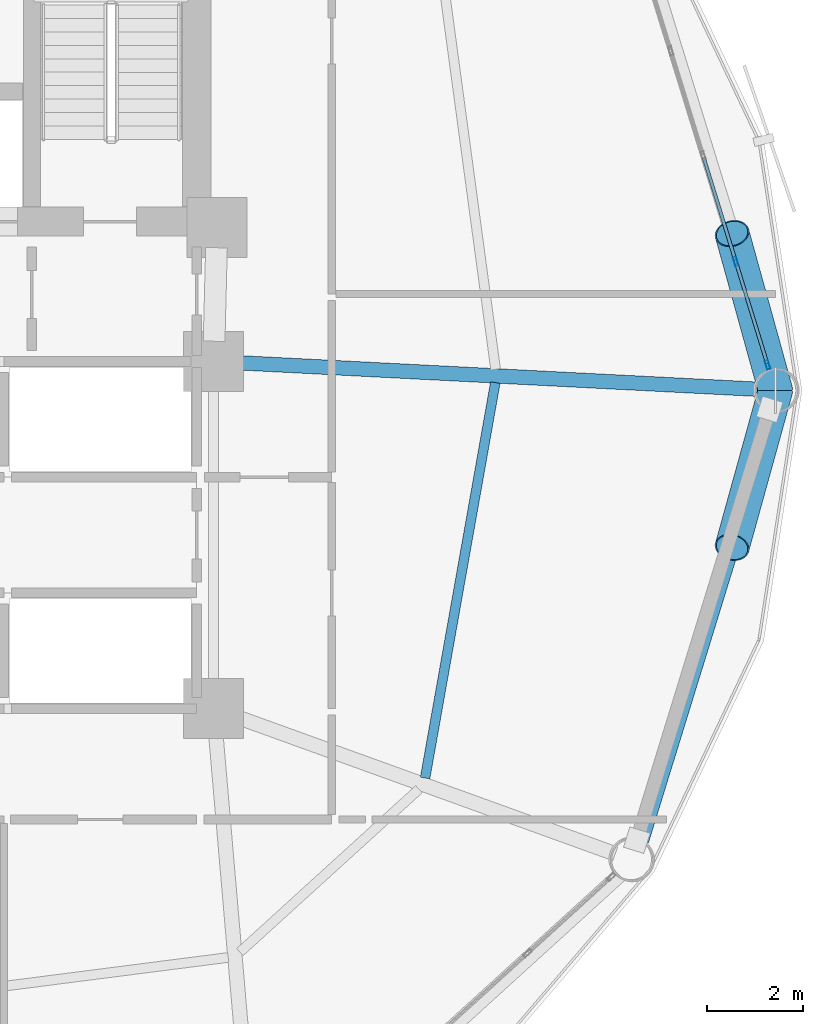
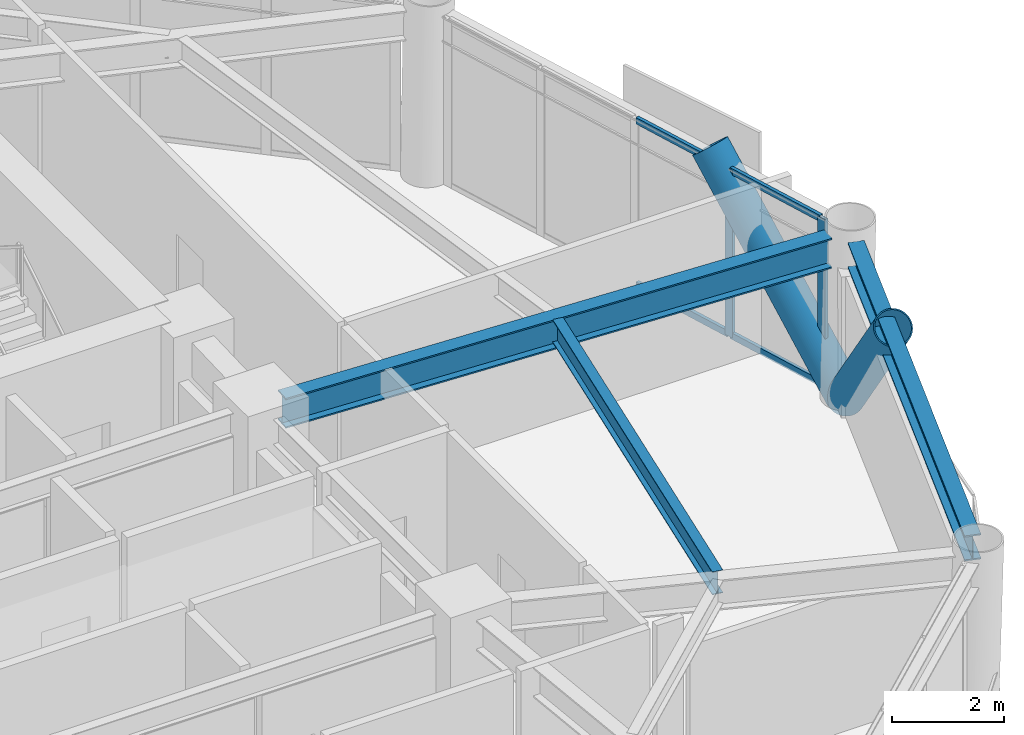
# One storey, part 13 of 25: 8 members, 3 beams, 1 element without a shape of its own.
"""IFC4 building model written with IfcOpenShell, lengths in metres."""

from ifc_helpers import new_model, si_unit, direction, frame, origin, origin_2d, place, context, subcontext, project, spatial, hollow_rectangle, hollow_circle, i_section, extrude, material, layer, layer_set, material_profile, profile_set, type_object, element, aggregate, save


model = new_model("IFC4")

# Units and contexts
model_context = context("Model", 3, precision=1e-05, world=origin(), true_north=direction((0.0, 1.0)))
body_context = subcontext(model_context, "Body", "Model", "MODEL_VIEW")
ifc_project = project(units=[si_unit("LENGTHUNIT", "METRE"), si_unit("AREAUNIT", "SQUARE_METRE"), si_unit("VOLUMEUNIT", "CUBIC_METRE"), si_unit("PLANEANGLEUNIT", "RADIAN"), si_unit("MASSUNIT", "GRAM", prefix="KILO")], contexts=[model_context])

# Site, building, storey
site_placement = place(None, origin())
site = spatial("IfcSite", under=ifc_project, at=site_placement, CompositionType="ELEMENT")
building_placement = place(site_placement, origin())
building = spatial("IfcBuilding", under=site, at=building_placement, Name="Varnakorn Sky Granary", CompositionType="ELEMENT")
storey_placement = place(building_placement, frame((0.0, 0.0, 62.699951171875)))
storey = spatial("IfcBuildingStorey", under=building, at=storey_placement, Name="L15", CompositionType="ELEMENT", Elevation=62.699951171875)

# Beams
ifc_material_1 = material(Name="Steel S355JR", Category="steel")
ifc_material_profile_1 = material_profile(ifc_material_1, i_section(OverallWidth=0.300048828125, OverallDepth=0.64990234375, WebThickness=0.01611328125, FlangeThickness=0.031005859375, at=origin_2d()), Name="HE 650 B")
ifc_profile_set_1 = profile_set([ifc_material_profile_1], Name="Steel S355JR")
beam_type_1 = type_object("IfcBeamType", Name="BM-RAD-Z1", PredefinedType="BEAM", material=ifc_profile_set_1)
beam_1_placement = place(storey_placement, frame((8.76953125, 0.57861328125, 3.31494140625), z_axis=(0.998700367059, -0.050966428517, 0.0), x_axis=(0.050966428517, 0.998700367059, 0.0)))
element("IfcBeam", 1, at=beam_1_placement, inside=storey, type_object=beam_type_1, Name="Radial Floor Girder RG01 L15", PredefinedType="BEAM", context=body_context, shape_type="SweptSolid", body=[
    extrude(i_section(OverallWidth=0.300048828125, OverallDepth=0.64990234375, WebThickness=0.01611328125, FlangeThickness=0.031005859375, at=origin_2d()), origin(), (0.0, 0.0, 1.0), 10.912109375),
])
ifc_material_profile_2 = material_profile(ifc_material_1, i_section(OverallWidth=0.199951171875, OverallDepth=0.5, WebThickness=0.01025390625, FlangeThickness=0.01611328125, at=origin_2d()), Name="IPE 500")
ifc_profile_set_2 = profile_set([ifc_material_profile_2], Name="Steel S355JR")
beam_type_2 = type_object("IfcBeamType", Name="BM-SEC-Z1", PredefinedType="BEAM", material=ifc_profile_set_2)
beam_2_placement = place(storey_placement, frame((12.737548828125, -8.040283203125, 3.39013671875), z_axis=(0.174830065887, 0.984598622821, 0.0), x_axis=(-0.984598622821, 0.174830065887, 0.0)))
element("IfcBeam", 2, at=beam_2_placement, inside=storey, type_object=beam_type_2, Name="Secondary Floor Chord Beam MSB12 L15", PredefinedType="BEAM", context=body_context, shape_type="SweptSolid", body=[
    extrude(i_section(OverallWidth=0.199951171875, OverallDepth=0.5, WebThickness=0.01025390625, FlangeThickness=0.01611328125, at=origin_2d()), origin(), (0.0, 0.0, 1.0), 8.331298828125),
])
ifc_material_profile_3 = material_profile(ifc_material_1, i_section(OverallWidth=0.300048828125, OverallDepth=0.550048828125, WebThickness=0.014892578125, FlangeThickness=0.029052734375, at=origin_2d()), Name="HE 550 B")
ifc_profile_set_3 = profile_set([ifc_material_profile_3], Name="Steel S355JR")
beam_type_3 = type_object("IfcBeamType", Name="BM-SPD-Z1", PredefinedType="SPANDREL", material=ifc_profile_set_3)
beam_3_placement = place(storey_placement, frame((17.227294921875, -9.341064453125, 3.364990234375), z_axis=(0.294795272919, 0.955560436113, 0.0), x_axis=(-0.955560436113, 0.294795272919, 0.0)))
element("IfcBeam", 3, at=beam_3_placement, inside=storey, type_object=beam_type_3, Name="Perimeter Spandrel Ring Beam RB12 L15", PredefinedType="SPANDREL", context=body_context, shape_type="SweptSolid", body=[
    extrude(i_section(OverallWidth=0.300048828125, OverallDepth=0.550048828125, WebThickness=0.014892578125, FlangeThickness=0.029052734375, at=origin_2d()), origin(), (0.0, 0.0, 1.0), 9.33349609375),
])

# Curtain wall, members
ifc_material_2 = material(Name="Anodised Bronze Aluminium Alloy 6063-T6", Category="aluminium")
ifc_layer = layer(ifc_material_2, 0.18994140625, Name="Anodised Bronze Aluminium Alloy 6063-T6")
ifc_layer_set = layer_set([ifc_layer], Name="Anodised Bronze Aluminium Alloy 6063-T6")
curtain_wall_type = type_object("IfcCurtainWallType", Name="CW-FRM-1", PredefinedType="USERDEFINED", material=ifc_layer_set)
curtain_wall_placement = place(storey_placement, origin())
curtain_wall = element("IfcCurtainWall", 4, at=curtain_wall_placement, inside=storey, type_object=curtain_wall_type, Name="Unitised Curtain Wall CW3 CW-L15-B01", ObjectType="CURTAIN WALL", PredefinedType="USERDEFINED")
ifc_material_profile_4 = material_profile(ifc_material_2, hollow_rectangle(XDim=0.070068359375, YDim=0.18505859375, WallThickness=0.00390625, at=origin_2d()), Name="ALU MULL 70x185")
ifc_profile_set_4 = profile_set([ifc_material_profile_4], Name="Anodised Bronze Aluminium Alloy 6063-T6")
member_type_1 = type_object("IfcMemberType", Name="CW-FRM-1-MULL", PredefinedType="MULLION", material=ifc_profile_set_4)
member_1_placement = place(storey_placement, frame((19.180419921875, 2.677978515625, 0.0), z_axis=(0.0, 0.0, 1.0), x_axis=(0.955606663525, 0.294645387928, 0.0)))
member_1 = element("IfcMember", 5, at=member_1_placement, type_object=member_type_1, Name="CW3 mullion 4", PredefinedType="MULLION", context=body_context, shape_type="SweptSolid", body=[
    extrude(hollow_rectangle(XDim=0.070068359375, YDim=0.18505859375, WallThickness=0.00390625, at=origin_2d()), origin(), (0.0, 0.0, 1.0), 3.64013671875),
])
member_2_placement = place(storey_placement, frame((19.843505859375, 0.52734375, 0.0), z_axis=(0.0, 0.0, 1.0), x_axis=(0.955606663525, 0.294645387928, 0.0)))
member_2 = element("IfcMember", 6, at=member_2_placement, type_object=member_type_1, Name="CW3 mullion 5", PredefinedType="MULLION", context=body_context, shape_type="SweptSolid", body=[
    extrude(hollow_rectangle(XDim=0.070068359375, YDim=0.18505859375, WallThickness=0.00390625, at=origin_2d()), origin(), (0.0, 0.0, 1.0), 3.64013671875),
])
ifc_material_profile_5 = material_profile(ifc_material_2, hollow_rectangle(XDim=0.070068359375, YDim=0.139892578125, WallThickness=0.00341796875, at=origin_2d()), Name="ALU TRAN 70x140")
ifc_profile_set_5 = profile_set([ifc_material_profile_5], Name="Anodised Bronze Aluminium Alloy 6063-T6")
member_type_2 = type_object("IfcMemberType", Name="CW-FRM-1-TRAN", PredefinedType="USERDEFINED", material=ifc_profile_set_5)
member_3_placement = place(storey_placement, frame((18.517333984375, 4.82861328125, 0.03515625), z_axis=(0.294558173427, -0.955633550304, 0.0), x_axis=(0.955633550304, 0.294558173427, 0.0)))
member_3 = element("IfcMember", 7, at=member_3_placement, type_object=member_type_2, Name="CW3 transom 3.1", ObjectType="TRANSOM", PredefinedType="USERDEFINED", context=body_context, shape_type="SweptSolid", body=[
    extrude(hollow_rectangle(XDim=0.070068359375, YDim=0.139892578125, WallThickness=0.00341796875, at=origin_2d()), origin(), (0.0, 0.0, 1.0), 2.215576171875),
])
member_4_placement = place(storey_placement, frame((18.517333984375, 4.82861328125, 3.60498046875), z_axis=(0.294558173427, -0.955633550304, 0.0), x_axis=(0.955633550304, 0.294558173427, 0.0)))
member_4 = element("IfcMember", 8, at=member_4_placement, type_object=member_type_2, Name="CW3 transom 3.2", ObjectType="TRANSOM", PredefinedType="USERDEFINED", context=body_context, shape_type="SweptSolid", body=[
    extrude(hollow_rectangle(XDim=0.070068359375, YDim=0.139892578125, WallThickness=0.00341796875, at=origin_2d()), origin(), (0.0, 0.0, 1.0), 2.215576171875),
])
member_5_placement = place(storey_placement, frame((19.190673828125, 2.64453125, 0.03515625), z_axis=(0.294581484011, -0.955626364893, 0.0), x_axis=(0.955626364893, 0.294581484011, 0.0)))
member_5 = element("IfcMember", 9, at=member_5_placement, type_object=member_type_2, Name="CW3 transom 4.1", ObjectType="TRANSOM", PredefinedType="USERDEFINED", context=body_context, shape_type="SweptSolid", body=[
    extrude(hollow_rectangle(XDim=0.070068359375, YDim=0.139892578125, WallThickness=0.00341796875, at=origin_2d()), origin(), (0.0, 0.0, 1.0), 2.180419921875),
])
member_6_placement = place(storey_placement, frame((19.190673828125, 2.64453125, 3.60498046875), z_axis=(0.294581484011, -0.955626364893, 0.0), x_axis=(0.955626364893, 0.294581484011, 0.0)))
member_6 = element("IfcMember", 10, at=member_6_placement, type_object=member_type_2, Name="CW3 transom 4.2", ObjectType="TRANSOM", PredefinedType="USERDEFINED", context=body_context, shape_type="SweptSolid", body=[
    extrude(hollow_rectangle(XDim=0.070068359375, YDim=0.139892578125, WallThickness=0.00341796875, at=origin_2d()), origin(), (0.0, 0.0, 1.0), 2.180419921875),
])
aggregate(curtain_wall, [member_1, member_2, member_3, member_4, member_5, member_6])

# Members
ifc_material_3 = material(Name="Steel S460M", Category="steel")
ifc_material_profile_6 = material_profile(ifc_material_3, hollow_circle(Radius=0.35546875, WallThickness=0.02490234375, at=origin_2d()), Name="CHS 711x25")
ifc_profile_set_6 = profile_set([ifc_material_profile_6], Name="Steel S460M")
member_type_3 = type_object("IfcMemberType", Name="MB-DIAG-T0", PredefinedType="BRACE", material=ifc_profile_set_6)
for number, where, z_axis, x_axis, name in (
    (11, (20.006103515625, 0.0, 0.0), (-0.177520263109, 0.641112193782, 0.746633585616), (-0.96373717349, -0.266853256366, 0.0), "Perimeter CHS Diagrid Brace DG01 L15"),
    (12, (20.006103515625, 0.0, 0.0), (-0.177520263109, -0.641112193782, 0.746633585616), (0.96373717349, -0.266853256366, 0.0), "Perimeter CHS Diagrid Brace DG12 L15"),
):
    element("IfcMember", number, at=place(storey_placement, frame(where, z_axis=z_axis, x_axis=x_axis)), inside=storey, type_object=member_type_3, Name=name, PredefinedType="BRACE", context=body_context, shape_type="SweptSolid", body=[
        extrude(hollow_circle(Radius=0.35546875, WallThickness=0.02490234375, at=origin_2d()), origin(), (0.0, 0.0, 1.0), 5.076171875),
    ])

save(model, "model.ifc")
